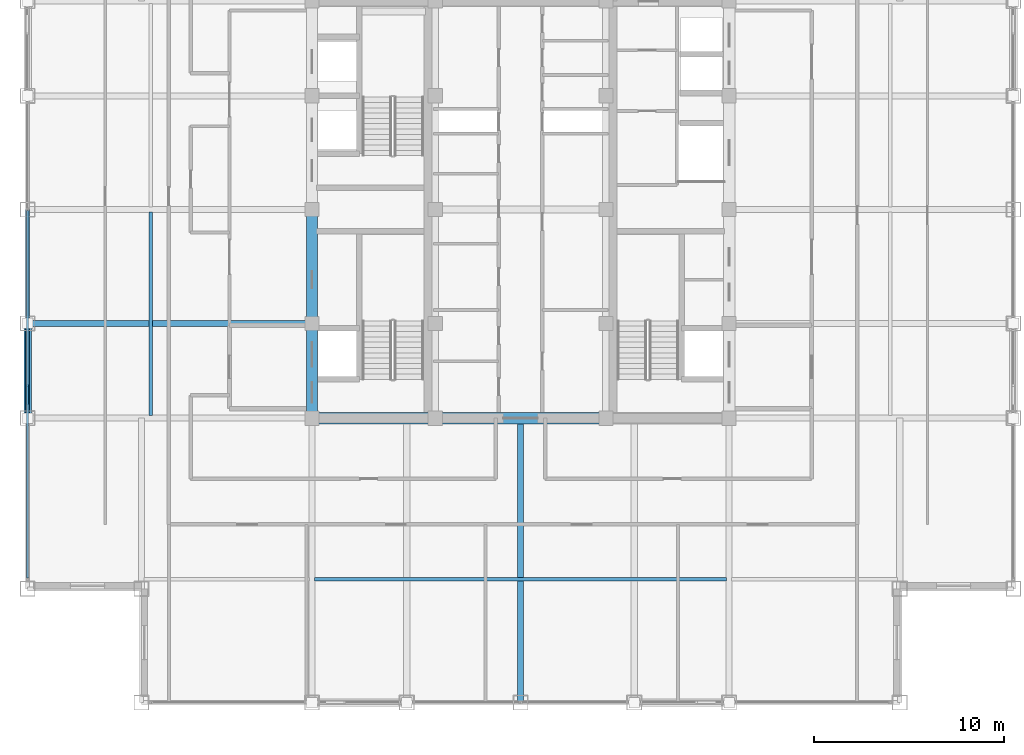
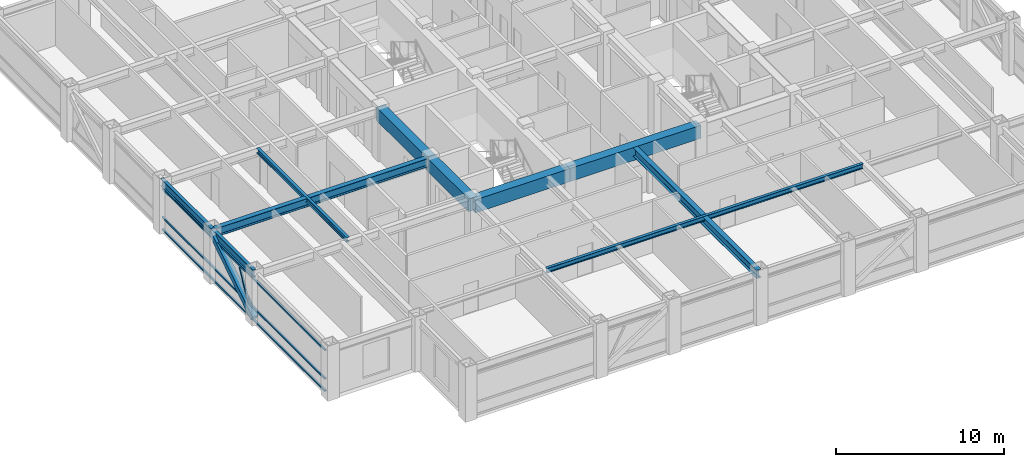
# One storey, part 5 of 28: 10 beams, 5 members, 1 element without a shape of its own.
"""IFC4 building model written with IfcOpenShell, lengths in metres."""

from ifc_helpers import new_model, si_unit, direction, frame, origin, origin_2d, place, context, subcontext, project, spatial, rectangle, hollow_rectangle, i_section, extrude, source, transform, mapped, material, material_profile, profile_set, type_object, element, aggregate, save


model = new_model("IFC4")

# Units and contexts
model_context = context("Model", 3, precision=1e-05, world=origin(), true_north=direction((0.0, 1.0)))
body_context = subcontext(model_context, "Body", "Model", "MODEL_VIEW")
ifc_project = project(units=[si_unit("LENGTHUNIT", "METRE"), si_unit("AREAUNIT", "SQUARE_METRE"), si_unit("VOLUMEUNIT", "CUBIC_METRE"), si_unit("PLANEANGLEUNIT", "RADIAN"), si_unit("MASSUNIT", "GRAM", prefix="KILO")], contexts=[model_context])

# Site, building, storey
site_placement = place(None, origin())
site = spatial("IfcSite", under=ifc_project, at=site_placement, CompositionType="ELEMENT")
building_placement = place(site_placement, origin())
building = spatial("IfcBuilding", under=site, at=building_placement, Name="Khorayat Bourse Tower", CompositionType="ELEMENT")
storey_placement = place(building_placement, frame((0.0, 0.0, 338.300048828125)))
storey = spatial("IfcBuildingStorey", under=building, at=storey_placement, Name="L80", CompositionType="ELEMENT", Elevation=338.300048828125)

# Beams
ifc_material_1 = material(Name="Concrete C60/75", Category="concrete")
ifc_material_profile_1 = material_profile(ifc_material_1, rectangle(XDim=0.60009765625, YDim=0.949951171875, at=origin_2d()), Name="RC 600x950")
ifc_profile_set_1 = profile_set([ifc_material_profile_1], Name="Concrete C60/75")
beam_type_1 = type_object("IfcBeamType", Name="BM-COUP-950", PredefinedType="BEAM", material=ifc_profile_set_1)
shared_shape_1 = source(origin(), body_context, "Body", "SweptSolid", [
    extrude(rectangle(XDim=0.60009765625, YDim=0.949951171875, at=origin_2d()), origin(), (0.0, 0.0, 1.0), 5.0),
])
beam_1_placement = place(storey_placement, frame((-11.0, -11.0, 3.264892578125), z_axis=(0.0, 1.0, 0.0), x_axis=(-1.0, 0.0, 0.0)))
element("IfcBeam", 1, at=beam_1_placement, inside=storey, type_object=beam_type_1, Name="L80 BM-COUP-950 BM-L80-CRX-01", PredefinedType="BEAM", context=body_context, shape_type="MappedRepresentation", body=[
    mapped(shared_shape_1, transform((0.0, 0.0, 0.0), scale=1.0)),
])
shared_shape_2 = source(origin(), body_context, "Body", "SweptSolid", [
    extrude(rectangle(XDim=0.60009765625, YDim=0.949951171875, at=origin_2d()), origin(), (0.0, 0.0, 1.0), 6.0),
])
beam_2_placement = place(storey_placement, frame((-11.0, -6.0, 3.264892578125), z_axis=(0.0, 1.0, 0.0), x_axis=(-1.0, 0.0, 0.0)))
element("IfcBeam", 2, at=beam_2_placement, inside=storey, type_object=beam_type_1, Name="L80 BM-COUP-950 BM-L80-CRX-02", PredefinedType="BEAM", context=body_context, shape_type="MappedRepresentation", body=[
    mapped(shared_shape_2, transform((0.0, 0.0, 0.0), scale=1.0)),
])
shared_shape_3 = source(origin(), body_context, "Body", "SweptSolid", [
    extrude(rectangle(XDim=0.60009765625, YDim=0.949951171875, at=origin_2d()), origin(), (0.0, 0.0, 1.0), 6.5),
])
beam_3_placement = place(storey_placement, frame((-11.0, -11.0, 3.264892578125), z_axis=(1.0, 0.0, 0.0), x_axis=(0.0, 1.0, 0.0)))
element("IfcBeam", 3, at=beam_3_placement, inside=storey, type_object=beam_type_1, Name="L80 BM-COUP-950 BM-L80-CRY-17", PredefinedType="BEAM", context=body_context, shape_type="MappedRepresentation", body=[
    mapped(shared_shape_3, transform((0.0, 0.0, 0.0), scale=1.0)),
])
shared_shape_4 = source(origin(), body_context, "Body", "SweptSolid", [
    extrude(rectangle(XDim=0.60009765625, YDim=0.949951171875, at=origin_2d()), origin(), (0.0, 0.0, 1.0), 9.0),
])
beam_4_placement = place(storey_placement, frame((-4.5, -11.0, 3.264892578125), z_axis=(1.0, 0.0, 0.0), x_axis=(0.0, 1.0, 0.0)))
element("IfcBeam", 4, at=beam_4_placement, inside=storey, type_object=beam_type_1, Name="L80 BM-COUP-950 BM-L80-CRY-18", PredefinedType="BEAM", context=body_context, shape_type="MappedRepresentation", body=[
    mapped(shared_shape_4, transform((0.0, 0.0, 0.0), scale=1.0)),
])
ifc_material_2 = material(Name="Steel ASTM A992 Grade 50", Category="steel")
ifc_material_profile_2 = material_profile(ifc_material_2, i_section(OverallWidth=0.202880859375, OverallDepth=0.346923828125, WebThickness=0.0078125, FlangeThickness=0.013427734375, FilletRadius=0.010009765625, at=origin_2d()), Name="W360X64")
ifc_profile_set_2 = profile_set([ifc_material_profile_2], Name="Steel ASTM A992 Grade 50")
beam_type_2 = type_object("IfcBeamType", Name="BM-JOIST-360", PredefinedType="JOIST", material=ifc_profile_set_2)
shared_shape_5 = source(origin(), body_context, "Body", "SweptSolid", [
    extrude(i_section(OverallWidth=0.202880859375, OverallDepth=0.346923828125, WebThickness=0.0078125, FlangeThickness=0.013427734375, FilletRadius=0.010009765625, at=origin_2d()), origin(), (0.0, 0.0, 1.0), 21.740234375),
])
beam_5_placement = place(storey_placement, frame((-10.8701171875, -19.5, 3.56640625), z_axis=(1.0, 0.0, 0.0), x_axis=(0.0, 1.0, 0.0)))
element("IfcBeam", 5, at=beam_5_placement, inside=storey, type_object=beam_type_2, Name="L80 BM-JOIST-360 BM-L80-JSTX-081", PredefinedType="JOIST", context=body_context, shape_type="MappedRepresentation", body=[
    mapped(shared_shape_5, transform((0.0, 0.0, 0.0), scale=1.0)),
])
shared_shape_6 = source(origin(), body_context, "Body", "SweptSolid", [
    extrude(i_section(OverallWidth=0.202880859375, OverallDepth=0.346923828125, WebThickness=0.0078125, FlangeThickness=0.013427734375, FilletRadius=0.010009765625, at=origin_2d()), origin(), (0.0, 0.0, 1.0), 10.740234375),
])
beam_6_placement = place(storey_placement, frame((-19.5, -10.8701171875, 3.56640625), z_axis=(0.0, 1.0, 0.0), x_axis=(-1.0, 0.0, 0.0)))
element("IfcBeam", 6, at=beam_6_placement, inside=storey, type_object=beam_type_2, Name="L80 BM-JOIST-360 BM-L80-JSTY-086", PredefinedType="JOIST", context=body_context, shape_type="MappedRepresentation", body=[
    mapped(shared_shape_6, transform((0.0, 0.0, 0.0), scale=1.0)),
])
ifc_material_profile_3 = material_profile(ifc_material_2, i_section(OverallWidth=0.214111328125, OverallDepth=0.549072265625, WebThickness=0.0146484375, FlangeThickness=0.023681640625, FilletRadius=0.013916015625, at=origin_2d()), Name="W530X138")
ifc_profile_set_3 = profile_set([ifc_material_profile_3], Name="Steel ASTM A992 Grade 50")
beam_type_3 = type_object("IfcBeamType", Name="BM-SPAN-530", PredefinedType="SPANDREL", material=ifc_profile_set_3)
shared_shape_7 = source(origin(), body_context, "Body", "SweptSolid", [
    extrude(i_section(OverallWidth=0.214111328125, OverallDepth=0.549072265625, WebThickness=0.0146484375, FlangeThickness=0.023681640625, FilletRadius=0.013916015625, at=origin_2d()), origin(), (0.0, 0.0, 1.0), 5.0),
])
beam_7_placement = place(storey_placement, frame((-26.0, -11.0, 3.46533203125), z_axis=(0.0, 1.0, 0.0), x_axis=(-1.0, 0.0, 0.0)))
element("IfcBeam", 7, at=beam_7_placement, inside=storey, type_object=beam_type_3, Name="L80 BM-SPAN-530 BM-L80-SPN-052", PredefinedType="SPANDREL", context=body_context, shape_type="MappedRepresentation", body=[
    mapped(shared_shape_7, transform((0.0, 0.0, 0.0), scale=1.0)),
])
shared_shape_8 = source(origin(), body_context, "Body", "SweptSolid", [
    extrude(i_section(OverallWidth=0.214111328125, OverallDepth=0.549072265625, WebThickness=0.0146484375, FlangeThickness=0.023681640625, FilletRadius=0.013916015625, at=origin_2d()), origin(), (0.0, 0.0, 1.0), 6.0),
])
beam_8_placement = place(storey_placement, frame((-26.0, -6.0, 3.46533203125), z_axis=(0.0, 1.0, 0.0), x_axis=(-1.0, 0.0, 0.0)))
element("IfcBeam", 8, at=beam_8_placement, inside=storey, type_object=beam_type_3, Name="L80 BM-SPAN-530 BM-L80-SPN-051", PredefinedType="SPANDREL", context=body_context, shape_type="MappedRepresentation", body=[
    mapped(shared_shape_8, transform((0.0, 0.0, 0.0), scale=1.0)),
])
ifc_material_profile_4 = material_profile(ifc_material_2, i_section(OverallWidth=0.324951171875, OverallDepth=0.615966796875, WebThickness=0.013916015625, FlangeThickness=0.021484375, FilletRadius=0.01611328125, at=origin_2d()), Name="W610X174")
ifc_profile_set_4 = profile_set([ifc_material_profile_4], Name="Steel ASTM A992 Grade 50")
beam_type_4 = type_object("IfcBeamType", Name="BM-GIRD-610", PredefinedType="BEAM", material=ifc_profile_set_4)
shared_shape_9 = source(origin(), body_context, "Body", "SweptSolid", [
    extrude(i_section(OverallWidth=0.324951171875, OverallDepth=0.615966796875, WebThickness=0.013916015625, FlangeThickness=0.021484375, FilletRadius=0.01611328125, at=origin_2d()), origin(), (0.0, 0.0, 1.0), 15.0),
])
for number, where, z_axis, x_axis, name in (
    (9, (0.0, -26.0, 3.431884765625), (0.0, 1.0, 0.0), (-1.0, 0.0, 0.0), "L80 BM-GIRD-610 BM-L80-RADY-061"),
    (10, (-26.0, -6.0, 3.431884765625), (1.0, 0.0, 0.0), (0.0, 1.0, 0.0), "L80 BM-GIRD-610 BM-L80-RADX-069"),
):
    element("IfcBeam", number, at=place(storey_placement, frame(where, z_axis=z_axis, x_axis=x_axis)), inside=storey, type_object=beam_type_4, Name=name, PredefinedType="BEAM", context=body_context, shape_type="MappedRepresentation", body=[
        mapped(shared_shape_9, transform((0.0, 0.0, 0.0), scale=1.0)),
    ])

# Member
ifc_material_3 = material(Name="Steel EN 10025-4 S460M", Category="steel")
ifc_material_profile_5 = material_profile(ifc_material_3, hollow_rectangle(XDim=0.39990234375, YDim=0.39990234375, WallThickness=0.02197265625, at=origin_2d()), Name="HSS 400x400x22")
ifc_profile_set_5 = profile_set([ifc_material_profile_5], Name="Steel EN 10025-4 S460M")
member_type_1 = type_object("IfcMemberType", Name="MBR-TUBE-400", PredefinedType="BRACE", material=ifc_profile_set_5)
shared_shape_10 = source(origin(), body_context, "Body", "SweptSolid", [
    extrude(hollow_rectangle(XDim=0.39990234375, YDim=0.39990234375, WallThickness=0.02197265625, at=origin_2d()), origin(), (0.0, 0.0, 1.0), 5.9580078125),
])
member_1_placement = place(storey_placement, frame((-26.0, -11.0, 0.25), z_axis=(0.0, 0.839210474455, 0.543806748364), x_axis=(-1.0, 0.0, 0.0)))
element("IfcMember", 11, at=member_1_placement, inside=storey, type_object=member_type_1, Name="L80 Perimeter Tube Brace 05", PredefinedType="BRACE", context=body_context, shape_type="MappedRepresentation", body=[
    mapped(shared_shape_10, transform((0.0, 0.0, 0.0), scale=1.0)),
])

# Curtain wall, members
ifc_material_4 = material(Name="Aluminium EN AW-6063 T6", Category="aluminium")
curtain_wall_type = type_object("IfcCurtainWallType", Name="CW-SYS-04", PredefinedType="NOTDEFINED", material=ifc_material_4)
curtain_wall_placement = place(storey_placement, origin())
curtain_wall = element("IfcCurtainWall", 12, at=curtain_wall_placement, inside=storey, type_object=curtain_wall_type, Name="L80 Curtain Wall CW-L80-W1", PredefinedType="NOTDEFINED")
ifc_material_profile_6 = material_profile(ifc_material_4, hollow_rectangle(XDim=0.1201171875, YDim=0.1201171875, WallThickness=0.0048828125, at=origin_2d()), Name="ALU 120x120x5")
ifc_profile_set_6 = profile_set([ifc_material_profile_6], Name="Aluminium EN AW-6063 T6")
member_type_2 = type_object("IfcMemberType", Name="CWM-DIAG-120", PredefinedType="MULLION", material=ifc_profile_set_6)
shared_shape_11 = source(origin(), body_context, "Body", "SweptSolid", [
    extrude(hollow_rectangle(XDim=0.1201171875, YDim=0.1201171875, WallThickness=0.0048828125, at=origin_2d()), origin(), (0.0, 0.0, 1.0), 2.0341796875),
])
member_2_placement = place(storey_placement, frame((-26.0, -10.21875, 1.08984375), z_axis=(0.0, 0.465790950955, 0.884894790361), x_axis=(-1.0, 0.0, 0.0)))
member_2 = element("IfcMember", 13, at=member_2_placement, type_object=member_type_2, Name="CW-L80-W1 Faceted Diagonal Mullion 1", PredefinedType="MULLION", context=body_context, shape_type="MappedRepresentation", body=[
    mapped(shared_shape_11, transform((0.0, 0.0, 0.0), scale=1.0)),
])
ifc_material_profile_7 = material_profile(ifc_material_4, hollow_rectangle(XDim=0.1201171875, YDim=0.1201171875, WallThickness=0.0048828125, at=origin_2d()), Name="ALU 120x120x5")
ifc_profile_set_7 = profile_set([ifc_material_profile_7], Name="Aluminium EN AW-6063 T6")
member_type_3 = type_object("IfcMemberType", Name="CWT-HORZ-120", PredefinedType="USERDEFINED", material=ifc_profile_set_7)
shared_shape_12 = source(origin(), body_context, "Body", "SweptSolid", [
    extrude(hollow_rectangle(XDim=0.1201171875, YDim=0.1201171875, WallThickness=0.0048828125, at=origin_2d()), origin(), (0.0, 0.0, 1.0), 19.369873046875),
])
member_3_placement = place(storey_placement, frame((-26.0, -19.429931640625, 0.06005859375), z_axis=(0.0, 1.0, 0.0), x_axis=(-1.0, 0.0, 0.0)))
member_3 = element("IfcMember", 14, at=member_3_placement, type_object=member_type_3, Name="CW-L80-W1 Horizontal Transom 1-1", ObjectType="TRANSOM", PredefinedType="USERDEFINED", context=body_context, shape_type="MappedRepresentation", body=[
    mapped(shared_shape_12, transform((0.0, 0.0, 0.0), scale=1.0)),
])
member_4_placement = place(storey_placement, frame((-26.0, -19.429931640625, 0.949951171875), z_axis=(0.0, 1.0, 0.0), x_axis=(-1.0, 0.0, 0.0)))
member_4 = element("IfcMember", 15, at=member_4_placement, type_object=member_type_3, Name="CW-L80-W1 Horizontal Transom 1-2", ObjectType="TRANSOM", PredefinedType="USERDEFINED", context=body_context, shape_type="MappedRepresentation", body=[
    mapped(shared_shape_12, transform((0.0, 0.0, 0.0), scale=1.0)),
])
member_5_placement = place(storey_placement, frame((-26.0, -19.429931640625, 3.030029296875), z_axis=(0.0, 1.0, 0.0), x_axis=(-1.0, 0.0, 0.0)))
member_5 = element("IfcMember", 16, at=member_5_placement, type_object=member_type_3, Name="CW-L80-W1 Horizontal Transom 1-3", ObjectType="TRANSOM", PredefinedType="USERDEFINED", context=body_context, shape_type="MappedRepresentation", body=[
    mapped(shared_shape_12, transform((0.0, 0.0, 0.0), scale=1.0)),
])
aggregate(curtain_wall, [member_3, member_4, member_5, member_2])

save(model, "model.ifc")
